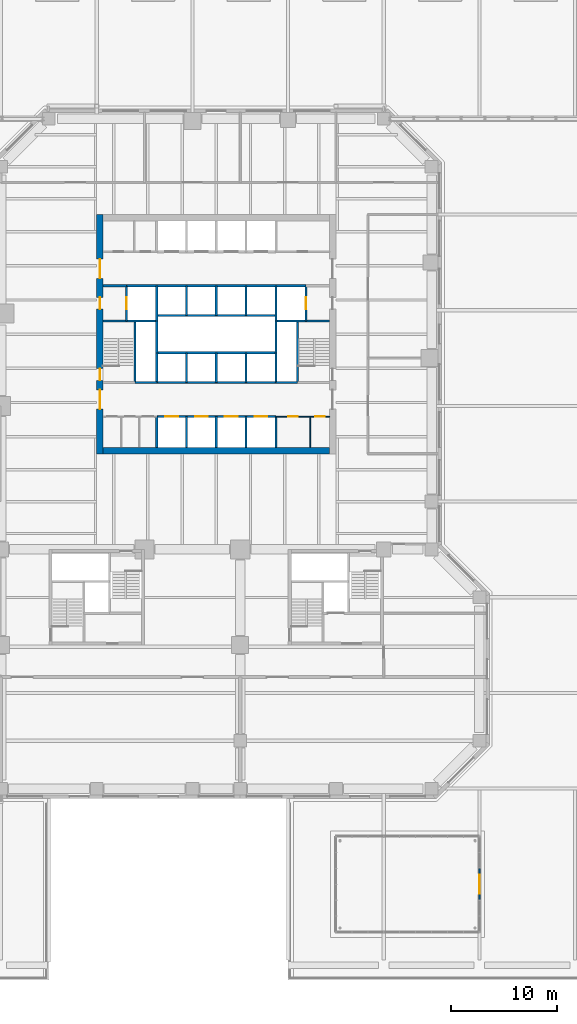
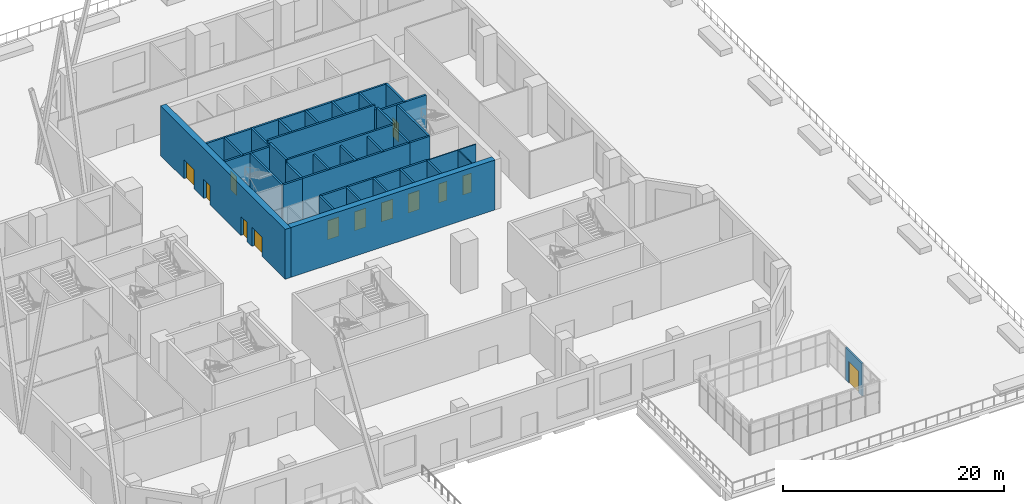
# One storey, part 23 of 33: 36 walls, 13 doors, 13 openings.
"""IFC4 building model written with IfcOpenShell, lengths in metres."""

import ifcopenshell
import ifcopenshell.guid

model = None  # the IFC model being written
_history = None  # IfcOwnerHistory: only IFC2X3 demands one
_inside = {}  # id of a spatial element -> (the spatial element, [elements in it])
_under = {}  # id of a project, library or spatial element -> (it, [spatial elements below it])
_declared = {}  # id of a project -> (the project, [libraries it declares])
_typed = {}  # id of a type object -> (the type object, [elements of that type])
_made_of = {}  # id of a material, layer set ... -> (it, [elements and type objects made of it])


def new_model(schema):
    """Start an empty IFC model of exactly this schema.

    Asked for "IFC4X3", IfcOpenShell would pick the latest addendum, in which some entities
    have other attributes; the version numbers below select the first issue.
    IFC2X3 requires an IfcOwnerHistory on every rooted entity: one is made here for all.
    """
    global model, _history
    if schema == "IFC4X3":
        model = ifcopenshell.file(schema_version=(4, 3, 0, 0))
    else:
        model = ifcopenshell.file(schema=schema)
    _inside.clear()
    _under.clear()
    _declared.clear()
    _typed.clear()
    _made_of.clear()
    _history = None
    if model.schema == "IFC2X3":
        org = make("IfcOrganization", Name="unknown")
        user = make(
            "IfcPersonAndOrganization",
            ThePerson=make("IfcPerson", FamilyName="unknown"),
            TheOrganization=org,
        )
        app = make(
            "IfcApplication",
            ApplicationDeveloper=org,
            Version="unknown",
            ApplicationFullName="unknown",
            ApplicationIdentifier="unknown",
        )
        _history = make(
            "IfcOwnerHistory",
            OwningUser=user,
            OwningApplication=app,
            ChangeAction="ADDED",
            CreationDate=0,
        )
    return model


def make(cls, **values):
    """One entity of the class cls with the attributes given. An attribute that is None is left unset."""
    return model.create_entity(
        cls, **{name: value for name, value in values.items() if value is not None}
    )


def rooted(cls, **values):
    """An entity with a GlobalId (a new one), such as an element, a storey or a relation."""
    return make(cls, GlobalId=ifcopenshell.guid.new(), OwnerHistory=_history, **values)


def si_unit(unit_type, name, prefix=None):
    """IfcSIUnit, for example si_unit("LENGTHUNIT", "METRE", prefix="MILLI")."""
    return make("IfcSIUnit", UnitType=unit_type, Prefix=prefix, Name=name)


def assignment(units):
    """IfcUnitAssignment: the units of a project."""
    return None if units is None else make("IfcUnitAssignment", Units=units)


def point(xyz):
    """IfcCartesianPoint."""
    return None if xyz is None else make("IfcCartesianPoint", Coordinates=xyz)


def direction(xyz):
    """IfcDirection."""
    return None if xyz is None else make("IfcDirection", DirectionRatios=xyz)


def frame(location, z_axis=None, x_axis=None):
    """IfcAxis2Placement3D, a coordinate frame: its origin and axes. An axis left out is left unset."""
    return make(
        "IfcAxis2Placement3D",
        Location=point(location),
        Axis=direction(z_axis),
        RefDirection=direction(x_axis),
    )


def frame_2d(location, x_axis=None):
    """IfcAxis2Placement2D, a coordinate frame in the plane: its origin and x axis."""
    return make(
        "IfcAxis2Placement2D", Location=point(location), RefDirection=direction(x_axis)
    )


def origin():
    """The frame at (0, 0, 0) with its axes left unset."""
    return frame((0.0, 0.0, 0.0))


def place(relative_to, where):
    """IfcLocalPlacement: puts the frame where relative to a parent placement (None: the world)."""
    return make(
        "IfcLocalPlacement", PlacementRelTo=relative_to, RelativePlacement=where
    )


def context(
    kind, dimensions, precision=None, world=None, true_north=None, identifier=None
):
    """IfcGeometricRepresentationContext, for example the 3D "Model" context."""
    return make(
        "IfcGeometricRepresentationContext",
        ContextIdentifier=identifier,
        ContextType=kind,
        CoordinateSpaceDimension=dimensions,
        Precision=precision,
        WorldCoordinateSystem=world,
        TrueNorth=true_north,
    )


def subcontext(parent, identifier, kind, view, scale=None):
    """IfcGeometricRepresentationSubContext, for example "Body" below "Model"."""
    return make(
        "IfcGeometricRepresentationSubContext",
        ContextIdentifier=identifier,
        ContextType=kind,
        ParentContext=parent,
        TargetScale=scale,
        TargetView=view,
    )


def project(units=None, contexts=None):
    """IfcProject with its units and contexts."""
    return rooted(
        "IfcProject",
        Name="project",
        RepresentationContexts=contexts,
        UnitsInContext=assignment(units),
    )


def spatial(cls, under=None, at=None, **own):
    """A site, building, storey or space (cls), placed at a placement, below another one or the project."""
    s = rooted(cls, ObjectPlacement=at, **own)
    if under is not None:
        _under.setdefault(under.id(), (under, []))[1].append(s)
    return s


def profile(cls, at=None, kind="AREA", **sizes):
    """A parametric profile (cls). Its sizes go by their IFC names, for example OverallWidth=200.0."""
    return make(cls, ProfileType=kind, Position=at, **sizes)


def rectangle(**sizes):
    """IfcRectangleProfileDef."""
    return profile("IfcRectangleProfileDef", **sizes)


def extrude(swept, where, along, depth):
    """IfcExtrudedAreaSolid: the profile swept, set in the frame where, extruded along a direction by depth."""
    return make(
        "IfcExtrudedAreaSolid",
        SweptArea=swept,
        Position=where,
        ExtrudedDirection=direction(along),
        Depth=depth,
    )


def shape(context_of_items, identifier, shape_type, items):
    """IfcShapeRepresentation: the items that make up one representation, for example the "Body"."""
    return make(
        "IfcShapeRepresentation",
        ContextOfItems=context_of_items,
        RepresentationIdentifier=identifier,
        RepresentationType=shape_type,
        Items=items,
    )


def material(Name=None, Category=None):
    """IfcMaterial."""
    return make("IfcMaterial", Name=Name, Category=Category)


def layer(
    of_material, thickness, ventilated=None, Name=None, Category=None, Priority=None
):
    """IfcMaterialLayer: one layer of a wall or slab, of a material (None: an air gap)."""
    return make(
        "IfcMaterialLayer",
        Material=of_material,
        LayerThickness=thickness,
        IsVentilated=ventilated,
        Name=Name,
        Category=Category,
        Priority=Priority,
    )


def layer_set(layers, Name=None):
    """IfcMaterialLayerSet."""
    return make("IfcMaterialLayerSet", MaterialLayers=layers, LayerSetName=Name)


def constituent(of_material, Name=None, Category=None, fraction=None):
    """IfcMaterialConstituent: one of the materials an element consists of."""
    return make(
        "IfcMaterialConstituent",
        Name=Name,
        Material=of_material,
        Fraction=fraction,
        Category=Category,
    )


def constituent_set(constituents=None, Name=None):
    """IfcMaterialConstituentSet."""
    return make(
        "IfcMaterialConstituentSet", Name=Name, MaterialConstituents=constituents
    )


def made_of(thing, what):
    """Note that an element or type object is made of a material, layer set ...; save() writes the relation."""
    if what is not None:
        _made_of.setdefault(what.id(), (what, []))[1].append(thing)
    return thing


def type_object(cls, material=None, **own):
    """A type object (cls), such as IfcWallType, which elements share."""
    return made_of(rooted(cls, **own), material)


def element(
    cls,
    number,
    at=None,
    inside=None,
    cuts=None,
    type_object=None,
    material=None,
    context=None,
    identifier="Body",
    shape_type=None,
    held_by="IfcProductDefinitionShape",
    body=None,
    shapes=None,
    **own,
):
    """One element of the class cls, such as IfcWall. Its Tag is "e" and its number.

    at: its placement. inside: the storey or other place that contains it. cuts: it is an
    opening in that element (IfcRelVoidsElement). A single representation is given by context,
    identifier, shape_type and body (its items); several are given by shapes. held_by: the class
    of the entity that holds the representations. save() writes the other relations.
    """
    e = rooted(cls, Tag="e%d" % number, ObjectPlacement=at, **own)
    if body is not None:
        shapes = [shape(context, identifier, shape_type, body)]
    if shapes is not None:
        e.Representation = make(held_by, Representations=shapes)
    if inside is not None:
        _inside.setdefault(inside.id(), (inside, []))[1].append(e)
    if cuts is not None:
        rooted(
            "IfcRelVoidsElement", RelatingBuildingElement=cuts, RelatedOpeningElement=e
        )
    if type_object is not None:
        _typed.setdefault(type_object.id(), (type_object, []))[1].append(e)
    return made_of(e, material)


def fill(opening, filler):
    """IfcRelFillsElement: the door or window that sits in an opening."""
    return rooted(
        "IfcRelFillsElement",
        RelatingOpeningElement=opening,
        RelatedBuildingElement=filler,
    )


def aggregate(whole, parts):
    """IfcRelAggregates: a whole, such as a stair, and the parts it consists of."""
    return rooted("IfcRelAggregates", RelatingObject=whole, RelatedObjects=parts)


def save(model, path):
    """Write the relations noted so far, then the file.

    IfcRelAggregates (storeys below a building ...), IfcRelContainedInSpatialStructure (elements
    in a storey), IfcRelDefinesByType, IfcRelAssociatesMaterial and IfcRelDeclares: one each for
    every whole, place, type object, material and project.
    """
    for whole, parts in _under.values():
        aggregate(whole, parts)
    for where, things in _inside.values():
        rooted(
            "IfcRelContainedInSpatialStructure",
            RelatedElements=things,
            RelatingStructure=where,
        )
    for kind, things in _typed.values():
        rooted("IfcRelDefinesByType", RelatedObjects=things, RelatingType=kind)
    for what, things in _made_of.values():
        rooted("IfcRelAssociatesMaterial", RelatedObjects=things, RelatingMaterial=what)
    for by, libraries in _declared.values():
        rooted("IfcRelDeclares", RelatingContext=by, RelatedDefinitions=libraries)
    model.write(path)


model = new_model("IFC4")

# Units and contexts
model_context = context("Model", 3, precision=1e-05, world=origin(), true_north=direction((0.0, 1.0)))
body_context = subcontext(model_context, "Body", "Model", "MODEL_VIEW")
ifc_project = project(units=[si_unit("LENGTHUNIT", "METRE"), si_unit("AREAUNIT", "SQUARE_METRE"), si_unit("VOLUMEUNIT", "CUBIC_METRE"), si_unit("PLANEANGLEUNIT", "RADIAN"), si_unit("MASSUNIT", "GRAM", prefix="KILO")], contexts=[model_context])

# Site, building, storey
site_placement = place(None, origin())
site = spatial("IfcSite", under=ifc_project, at=site_placement, CompositionType="ELEMENT")
building_placement = place(site_placement, origin())
building = spatial("IfcBuilding", under=site, at=building_placement, Name="Quoin Convention Tower", CompositionType="ELEMENT")
storey_placement = place(building_placement, frame((0.0, 0.0, 8.0)))
storey = spatial("IfcBuildingStorey", under=building, at=storey_placement, Name="L01", CompositionType="ELEMENT", Elevation=8.0)

# Wall, openings, doors
ifc_material_1 = material(Name="Plasterboard")
ifc_layer_1 = layer(ifc_material_1, 0.012451171875, Name="Finish")
ifc_material_2 = material(Name="Steel stud framing", Category="steel")
ifc_layer_2 = layer(ifc_material_2, 0.074951171875, Name="Structure")
ifc_layer_3 = layer(ifc_material_1, 0.012451171875, Name="Finish")
ifc_layer_set_1 = layer_set([ifc_layer_1, ifc_layer_2, ifc_layer_3], Name="Steel stud framing")
wall_type_1 = type_object("IfcWallType", Name="Core partition wall", PredefinedType="PARTITIONING", material=ifc_layer_set_1)
wall_1_placement = place(storey_placement, frame((61.85009765625, 53.0, 0.0), z_axis=(0.0, 0.0, 1.0), x_axis=(1.0, 0.0, 0.0)))
wall_1 = element("IfcWall", 1, at=wall_1_placement, inside=storey, type_object=wall_type_1, Name="cr-C1-L01-h3500_16850", PredefinedType="PARTITIONING", context=body_context, shape_type="SweptSolid", body=[
    extrude(rectangle(XDim=5.0498046875, YDim=0.10009765625, at=frame_2d((2.52490234375, 0.0))), origin(), (0.0, 0.0, 1.0), 5.14990234375),
])
opening_1_placement = place(wall_1_placement, frame((3.69091796875, 0.0, 0.0)))
opening_1 = element("IfcOpeningElement", 2, at=opening_1_placement, cuts=wall_1, Name="Opening DCV1-23", PredefinedType="OPENING", context=body_context, shape_type="SweptSolid", body=[
    extrude(rectangle(XDim=0.89990234375, YDim=2.10009765625, at=frame_2d((0.449951171875, 1.050048828125))), frame((0.0, 0.06005859375, 0.0), z_axis=(0.0, -1.0, 0.0), x_axis=(1.0, 0.0, 0.0)), (0.0, 0.0, 1.0), 0.1201171875),
])
opening_2_placement = place(wall_1_placement, frame((1.166015625, 0.0, 0.0)))
opening_2 = element("IfcOpeningElement", 3, at=opening_2_placement, cuts=wall_1, Name="Opening DCV1-19", PredefinedType="OPENING", context=body_context, shape_type="SweptSolid", body=[
    extrude(rectangle(XDim=0.89990234375, YDim=2.10009765625, at=frame_2d((0.449951171875, 1.050048828125))), frame((0.0, 0.06005859375, 0.0), z_axis=(0.0, -1.0, 0.0), x_axis=(1.0, 0.0, 0.0)), (0.0, 0.0, 1.0), 0.1201171875),
])
ifc_material_3 = material(Name="Steel door leaf", Category="steel")
door_type_1 = type_object("IfcDoorType", Name="Core room door 900 x 2100", OperationType="SINGLE_SWING_LEFT", PredefinedType="DOOR", material=ifc_material_3)
door_1_placement = place(opening_1_placement, frame((0.89990234375, 0.0, 0.0), z_axis=(0.0, 0.0, 1.0), x_axis=(-1.0, 0.0, 0.0)))
door_1 = element("IfcDoor", 4, at=door_1_placement, inside=storey, type_object=door_type_1, Name="cd-C1-L01-CSE0-lobA-CD0110", OperationType="SINGLE_SWING_LEFT", OverallHeight=2.10009765625, OverallWidth=0.89990234375, PredefinedType="DOOR", context=body_context, shape_type="SweptSolid", body=[
    extrude(rectangle(XDim=0.89990234375, YDim=2.10009765625, at=frame_2d((0.449951171875, 1.050048828125))), frame((0.0, 0.02490234375, 0.0), z_axis=(0.0, -1.0, 0.0), x_axis=(1.0, 0.0, 0.0)), (0.0, 0.0, 1.0), 0.050048828125),
])
fill(opening_1, door_1)
door_2_placement = place(opening_2_placement, frame((0.89990234375, 0.0, 0.0), z_axis=(0.0, 0.0, 1.0), x_axis=(-1.0, 0.0, 0.0)))
door_2 = element("IfcDoor", 5, at=door_2_placement, inside=storey, type_object=door_type_1, Name="cd-C1-L01-CSE1-lobA-CD0111", OperationType="SINGLE_SWING_LEFT", OverallHeight=2.10009765625, OverallWidth=0.89990234375, PredefinedType="DOOR", context=body_context, shape_type="SweptSolid", body=[
    extrude(rectangle(XDim=0.89990234375, YDim=2.10009765625, at=frame_2d((0.449951171875, 1.050048828125))), frame((0.0, 0.02490234375, 0.0), z_axis=(0.0, -1.0, 0.0), x_axis=(1.0, 0.0, 0.0)), (0.0, 0.0, 1.0), 0.050048828125),
])
fill(opening_2, door_2)

# Wall
wall_2_placement = place(storey_placement, frame((65.08203125, 50.10009765625, 0.0), z_axis=(0.0, 0.0, 1.0), x_axis=(0.0, 1.0, 0.0)))
element("IfcWall", 6, at=wall_2_placement, inside=storey, type_object=wall_type_1, Name="cr-C1-L01-v20082_600", PredefinedType="PARTITIONING", context=body_context, shape_type="SweptSolid", body=[
    extrude(rectangle(XDim=2.89990234375, YDim=0.10009765625, at=frame_2d((1.449951171875, 0.0))), origin(), (0.0, 0.0, 1.0), 5.14990234375),
])

# Wall, openings, doors
ifc_material_4 = material(Name="Concrete C50", Category="concrete")
ifc_layer_4 = layer(ifc_material_4, 0.199951171875)
ifc_layer_set_2 = layer_set([ifc_layer_4], Name="Concrete C50")
wall_type_2 = type_object("IfcWallType", Name="Core shaft wall", PredefinedType="SOLIDWALL", material=ifc_layer_set_2)
wall_3_placement = place(storey_placement, frame((50.64990234375, 53.0, 0.0), z_axis=(0.0, 0.0, 1.0), x_axis=(1.0, 0.0, 0.0)))
wall_3 = element("IfcWall", 7, at=wall_3_placement, inside=storey, type_object=wall_type_2, Name="cr-C1-L01-h3500_5650", PredefinedType="SOLIDWALL", context=body_context, shape_type="SweptSolid", body=[
    extrude(rectangle(XDim=11.2001953125, YDim=0.199951171875, at=frame_2d((5.60009765625, 0.0))), origin(), (0.0, 0.0, 1.0), 5.14990234375),
])
opening_3_placement = place(wall_3_placement, frame((0.800048828125, 0.0, 0.0)))
opening_3 = element("IfcOpeningElement", 8, at=opening_3_placement, cuts=wall_3, Name="Opening LDL1", PredefinedType="OPENING", context=body_context, shape_type="SweptSolid", body=[
    extrude(rectangle(XDim=1.199951171875, YDim=2.10009765625, at=frame_2d((0.60009765625, 1.050048828125))), frame((0.0, 0.10986328125, 0.0), z_axis=(0.0, -1.0, 0.0), x_axis=(1.0, 0.0, 0.0)), (0.0, 0.0, 1.0), 0.219970703125),
])
opening_4_placement = place(wall_3_placement, frame((3.60009765625, 0.0, 0.0)))
opening_4 = element("IfcOpeningElement", 9, at=opening_4_placement, cuts=wall_3, Name="Opening LDL2", PredefinedType="OPENING", context=body_context, shape_type="SweptSolid", body=[
    extrude(rectangle(XDim=1.199951171875, YDim=2.10009765625, at=frame_2d((0.60009765625, 1.050048828125))), frame((0.0, 0.10986328125, 0.0), z_axis=(0.0, -1.0, 0.0), x_axis=(1.0, 0.0, 0.0)), (0.0, 0.0, 1.0), 0.219970703125),
])
opening_5_placement = place(wall_3_placement, frame((6.39990234375, 0.0, 0.0)))
opening_5 = element("IfcOpeningElement", 10, at=opening_5_placement, cuts=wall_3, Name="Opening LDL3", PredefinedType="OPENING", context=body_context, shape_type="SweptSolid", body=[
    extrude(rectangle(XDim=1.199951171875, YDim=2.10009765625, at=frame_2d((0.60009765625, 1.050048828125))), frame((0.0, 0.10986328125, 0.0), z_axis=(0.0, -1.0, 0.0), x_axis=(1.0, 0.0, 0.0)), (0.0, 0.0, 1.0), 0.219970703125),
])
opening_6_placement = place(wall_3_placement, frame((9.199951171875, 0.0, 0.0)))
opening_6 = element("IfcOpeningElement", 11, at=opening_6_placement, cuts=wall_3, Name="Opening LDL4", PredefinedType="OPENING", context=body_context, shape_type="SweptSolid", body=[
    extrude(rectangle(XDim=1.199951171875, YDim=2.10009765625, at=frame_2d((0.60009765625, 1.050048828125))), frame((0.0, 0.10986328125, 0.0), z_axis=(0.0, -1.0, 0.0), x_axis=(1.0, 0.0, 0.0)), (0.0, 0.0, 1.0), 0.219970703125),
])
door_type_2 = type_object("IfcDoorType", Name="Lift landing door 1200 x 2100", OperationType="DOUBLE_DOOR_SLIDING", PredefinedType="DOOR", material=ifc_material_3)
door_3_placement = place(opening_3_placement, origin())
door_3 = element("IfcDoor", 12, at=door_3_placement, inside=storey, type_object=door_type_2, Name="cd-C1-L01-R10-lobA-LDL1", OperationType="DOUBLE_DOOR_SLIDING", OverallHeight=2.10009765625, OverallWidth=1.199951171875, PredefinedType="DOOR", context=body_context, shape_type="SweptSolid", body=[
    extrude(rectangle(XDim=1.199951171875, YDim=2.10009765625, at=frame_2d((0.60009765625, 1.050048828125))), frame((0.0, 0.02490234375, 0.0), z_axis=(0.0, -1.0, 0.0), x_axis=(1.0, 0.0, 0.0)), (0.0, 0.0, 1.0), 0.050048828125),
])
fill(opening_3, door_3)
door_4_placement = place(opening_4_placement, origin())
door_4 = element("IfcDoor", 13, at=door_4_placement, inside=storey, type_object=door_type_2, Name="cd-C1-L01-R11-lobA-LDL2", OperationType="DOUBLE_DOOR_SLIDING", OverallHeight=2.10009765625, OverallWidth=1.199951171875, PredefinedType="DOOR", context=body_context, shape_type="SweptSolid", body=[
    extrude(rectangle(XDim=1.199951171875, YDim=2.10009765625, at=frame_2d((0.60009765625, 1.050048828125))), frame((0.0, 0.02490234375, 0.0), z_axis=(0.0, -1.0, 0.0), x_axis=(1.0, 0.0, 0.0)), (0.0, 0.0, 1.0), 0.050048828125),
])
fill(opening_4, door_4)
door_5_placement = place(opening_5_placement, origin())
door_5 = element("IfcDoor", 14, at=door_5_placement, inside=storey, type_object=door_type_2, Name="cd-C1-L01-R12-lobA-LDL3", OperationType="DOUBLE_DOOR_SLIDING", OverallHeight=2.10009765625, OverallWidth=1.199951171875, PredefinedType="DOOR", context=body_context, shape_type="SweptSolid", body=[
    extrude(rectangle(XDim=1.199951171875, YDim=2.10009765625, at=frame_2d((0.60009765625, 1.050048828125))), frame((0.0, 0.02490234375, 0.0), z_axis=(0.0, -1.0, 0.0), x_axis=(1.0, 0.0, 0.0)), (0.0, 0.0, 1.0), 0.050048828125),
])
fill(opening_5, door_5)
door_6_placement = place(opening_6_placement, origin())
door_6 = element("IfcDoor", 15, at=door_6_placement, inside=storey, type_object=door_type_2, Name="cd-C1-L01-R13-lobA-LDL4", OperationType="DOUBLE_DOOR_SLIDING", OverallHeight=2.10009765625, OverallWidth=1.199951171875, PredefinedType="DOOR", context=body_context, shape_type="SweptSolid", body=[
    extrude(rectangle(XDim=1.199951171875, YDim=2.10009765625, at=frame_2d((0.60009765625, 1.050048828125))), frame((0.0, 0.02490234375, 0.0), z_axis=(0.0, -1.0, 0.0), x_axis=(1.0, 0.0, 0.0)), (0.0, 0.0, 1.0), 0.050048828125),
])
fill(opening_6, door_6)

# Walls
for number, where, z_axis, x_axis, name in (
    (16, (48.60009765625, 56.199951171875, 0.0), (0.0, 0.0, 1.0), (1.0, 0.0, 0.0), "cr-C1-L01-h6700_3600"),
    (17, (61.85009765625, 56.199951171875, 0.0), (0.0, 0.0, 1.0), (1.0, 0.0, 0.0), "cr-C1-L01-h6700_16850"),
):
    element("IfcWall", number, at=place(storey_placement, frame(where, z_axis=z_axis, x_axis=x_axis)), inside=storey, type_object=wall_type_2, Name=name, PredefinedType="SOLIDWALL", context=body_context, shape_type="SweptSolid", body=[
        extrude(rectangle(XDim=2.0498046875, YDim=0.199951171875, at=frame_2d((1.02490234375, 0.0))), origin(), (0.0, 0.0, 1.0), 5.14990234375),
    ])
wall_4_placement = place(storey_placement, frame((50.64990234375, 56.199951171875, 0.0), z_axis=(0.0, 0.0, 1.0), x_axis=(1.0, 0.0, 0.0)))
element("IfcWall", 18, at=wall_4_placement, inside=storey, type_object=wall_type_2, Name="cr-C1-L01-h6700_5650", PredefinedType="SOLIDWALL", context=body_context, shape_type="SweptSolid", body=[
    extrude(rectangle(XDim=11.2001953125, YDim=0.199951171875, at=frame_2d((5.60009765625, 0.0))), origin(), (0.0, 0.0, 1.0), 5.14990234375),
])
for number, where, z_axis, x_axis, name in (
    (19, (45.60009765625, 62.0, 0.0), (0.0, 0.0, 1.0), (1.0, 0.0, 0.0), "cr-C1-L01-h12500_600"),
    (20, (61.85009765625, 62.0, 0.0), (0.0, 0.0, 1.0), (1.0, 0.0, 0.0), "cr-C1-L01-h12500_16850"),
):
    element("IfcWall", number, at=place(storey_placement, frame(where, z_axis=z_axis, x_axis=x_axis)), inside=storey, type_object=wall_type_2, Name=name, PredefinedType="SOLIDWALL", context=body_context, shape_type="SweptSolid", body=[
        extrude(rectangle(XDim=5.0498046875, YDim=0.199951171875, at=frame_2d((2.52490234375, 0.0))), origin(), (0.0, 0.0, 1.0), 5.14990234375),
    ])
wall_5_placement = place(storey_placement, frame((45.60009765625, 65.300048828125, 0.0), z_axis=(0.0, 0.0, 1.0), x_axis=(1.0, 0.0, 0.0)))
element("IfcWall", 21, at=wall_5_placement, inside=storey, type_object=wall_type_2, Name="cr-C1-L01-h15800_600", PredefinedType="SOLIDWALL", context=body_context, shape_type="SweptSolid", body=[
    extrude(rectangle(XDim=2.199951171875, YDim=0.199951171875, at=frame_2d((1.10009765625, 0.0))), origin(), (0.0, 0.0, 1.0), 5.14990234375),
])
wall_6_placement = place(storey_placement, frame((47.800048828125, 65.300048828125, 0.0), z_axis=(0.0, 0.0, 1.0), x_axis=(1.0, 0.0, 0.0)))
element("IfcWall", 22, at=wall_6_placement, inside=storey, type_object=wall_type_2, Name="cr-C1-L01-h15800_2800", PredefinedType="SOLIDWALL", context=body_context, shape_type="SweptSolid", body=[
    extrude(rectangle(XDim=16.89990234375, YDim=0.199951171875, at=frame_2d((8.449951171875, 0.0))), origin(), (0.0, 0.0, 1.0), 5.14990234375),
])

# Wall, opening, door
wall_7_placement = place(storey_placement, frame((47.800048828125, 62.0, 0.0), z_axis=(0.0, 0.0, 1.0), x_axis=(0.0, 1.0, 0.0)))
wall_7 = element("IfcWall", 23, at=wall_7_placement, inside=storey, type_object=wall_type_2, Name="cr-C1-L01-v2800_12500", PredefinedType="SOLIDWALL", context=body_context, shape_type="SweptSolid", body=[
    extrude(rectangle(XDim=3.300048828125, YDim=0.199951171875, at=frame_2d((1.64990234375, 0.0))), origin(), (0.0, 0.0, 1.0), 5.14990234375),
])
opening_7_placement = place(wall_7_placement, frame((1.10009765625, 0.0, 0.0)))
opening_7 = element("IfcOpeningElement", 24, at=opening_7_placement, cuts=wall_7, Name="Opening LDFL1", PredefinedType="OPENING", context=body_context, shape_type="SweptSolid", body=[
    extrude(rectangle(XDim=1.10009765625, YDim=2.10009765625, at=frame_2d((0.550048828125, 1.050048828125))), frame((0.0, 0.10986328125, 0.0), z_axis=(0.0, -1.0, 0.0), x_axis=(1.0, 0.0, 0.0)), (0.0, 0.0, 1.0), 0.219970703125),
])
door_type_3 = type_object("IfcDoorType", Name="Lift landing door 1100 x 2100", OperationType="DOUBLE_DOOR_SLIDING", PredefinedType="DOOR", material=ifc_material_3)
door_7_placement = place(opening_7_placement, origin())
door_7 = element("IfcDoor", 25, at=door_7_placement, inside=storey, type_object=door_type_3, Name="cd-C1-L01-FLW-FFW-LDFL1", OperationType="DOUBLE_DOOR_SLIDING", OverallHeight=2.10009765625, OverallWidth=1.10009765625, PredefinedType="DOOR", context=body_context, shape_type="SweptSolid", body=[
    extrude(rectangle(XDim=1.10009765625, YDim=2.10009765625, at=frame_2d((0.550048828125, 1.050048828125))), frame((0.0, 0.02490234375, 0.0), z_axis=(0.0, -1.0, 0.0), x_axis=(1.0, 0.0, 0.0)), (0.0, 0.0, 1.0), 0.050048828125),
])
fill(opening_7, door_7)

# Walls
wall_8_placement = place(storey_placement, frame((48.60009765625, 56.199951171875, 0.0), z_axis=(0.0, 0.0, 1.0), x_axis=(0.0, 1.0, 0.0)))
element("IfcWall", 26, at=wall_8_placement, inside=storey, type_object=wall_type_2, Name="cr-C1-L01-v3600_6700", PredefinedType="SOLIDWALL", context=body_context, shape_type="SweptSolid", body=[
    extrude(rectangle(XDim=5.800048828125, YDim=0.199951171875, at=frame_2d((2.89990234375, 0.0))), origin(), (0.0, 0.0, 1.0), 5.14990234375),
])
wall_9_placement = place(storey_placement, frame((50.64990234375, 50.10009765625, 0.0), z_axis=(0.0, 0.0, 1.0), x_axis=(0.0, 1.0, 0.0)))
element("IfcWall", 27, at=wall_9_placement, inside=storey, type_object=wall_type_2, Name="cr-C1-L01-v5650_600", PredefinedType="SOLIDWALL", context=body_context, shape_type="SweptSolid", body=[
    extrude(rectangle(XDim=2.89990234375, YDim=0.199951171875, at=frame_2d((1.449951171875, 0.0))), origin(), (0.0, 0.0, 1.0), 5.14990234375),
])
wall_10_placement = place(storey_placement, frame((50.64990234375, 56.199951171875, 0.0), z_axis=(0.0, 0.0, 1.0), x_axis=(0.0, 1.0, 0.0)))
element("IfcWall", 28, at=wall_10_placement, inside=storey, type_object=wall_type_2, Name="cr-C1-L01-v5650_6700", PredefinedType="SOLIDWALL", context=body_context, shape_type="SweptSolid", body=[
    extrude(rectangle(XDim=2.800048828125, YDim=0.199951171875, at=frame_2d((1.39990234375, 0.0))), origin(), (0.0, 0.0, 1.0), 5.14990234375),
])
wall_11_placement = place(storey_placement, frame((50.64990234375, 62.0, 0.0), z_axis=(0.0, 0.0, 1.0), x_axis=(0.0, 1.0, 0.0)))
element("IfcWall", 29, at=wall_11_placement, inside=storey, type_object=wall_type_2, Name="cr-C1-L01-v5650_12500", PredefinedType="SOLIDWALL", context=body_context, shape_type="SweptSolid", body=[
    extrude(rectangle(XDim=3.300048828125, YDim=0.199951171875, at=frame_2d((1.64990234375, 0.0))), origin(), (0.0, 0.0, 1.0), 5.14990234375),
])
wall_12_placement = place(storey_placement, frame((53.449951171875, 50.10009765625, 0.0), z_axis=(0.0, 0.0, 1.0), x_axis=(0.0, 1.0, 0.0)))
element("IfcWall", 30, at=wall_12_placement, inside=storey, type_object=wall_type_2, Name="cr-C1-L01-v8450_600", PredefinedType="SOLIDWALL", context=body_context, shape_type="SweptSolid", body=[
    extrude(rectangle(XDim=2.89990234375, YDim=0.199951171875, at=frame_2d((1.449951171875, 0.0))), origin(), (0.0, 0.0, 1.0), 5.14990234375),
])
for number, where, z_axis, x_axis, name in (
    (31, (53.449951171875, 56.199951171875, 0.0), (0.0, 0.0, 1.0), (0.0, 1.0, 0.0), "cr-C1-L01-v8450_6700"),
    (32, (53.449951171875, 62.5, 0.0), (0.0, 0.0, 1.0), (0.0, 1.0, 0.0), "cr-C1-L01-v8450_13000"),
):
    element("IfcWall", number, at=place(storey_placement, frame(where, z_axis=z_axis, x_axis=x_axis)), inside=storey, type_object=wall_type_2, Name=name, PredefinedType="SOLIDWALL", context=body_context, shape_type="SweptSolid", body=[
        extrude(rectangle(XDim=2.800048828125, YDim=0.199951171875, at=frame_2d((1.39990234375, 0.0))), origin(), (0.0, 0.0, 1.0), 5.14990234375),
    ])
wall_13_placement = place(storey_placement, frame((56.25, 50.10009765625, 0.0), z_axis=(0.0, 0.0, 1.0), x_axis=(0.0, 1.0, 0.0)))
element("IfcWall", 33, at=wall_13_placement, inside=storey, type_object=wall_type_2, Name="cr-C1-L01-v11250_600", PredefinedType="SOLIDWALL", context=body_context, shape_type="SweptSolid", body=[
    extrude(rectangle(XDim=2.89990234375, YDim=0.199951171875, at=frame_2d((1.449951171875, 0.0))), origin(), (0.0, 0.0, 1.0), 5.14990234375),
])
for number, where, z_axis, x_axis, name in (
    (34, (56.25, 56.199951171875, 0.0), (0.0, 0.0, 1.0), (0.0, 1.0, 0.0), "cr-C1-L01-v11250_6700"),
    (35, (56.25, 62.5, 0.0), (0.0, 0.0, 1.0), (0.0, 1.0, 0.0), "cr-C1-L01-v11250_13000"),
):
    element("IfcWall", number, at=place(storey_placement, frame(where, z_axis=z_axis, x_axis=x_axis)), inside=storey, type_object=wall_type_2, Name=name, PredefinedType="SOLIDWALL", context=body_context, shape_type="SweptSolid", body=[
        extrude(rectangle(XDim=2.800048828125, YDim=0.199951171875, at=frame_2d((1.39990234375, 0.0))), origin(), (0.0, 0.0, 1.0), 5.14990234375),
    ])
wall_14_placement = place(storey_placement, frame((59.050048828125, 50.10009765625, 0.0), z_axis=(0.0, 0.0, 1.0), x_axis=(0.0, 1.0, 0.0)))
element("IfcWall", 36, at=wall_14_placement, inside=storey, type_object=wall_type_2, Name="cr-C1-L01-v14050_600", PredefinedType="SOLIDWALL", context=body_context, shape_type="SweptSolid", body=[
    extrude(rectangle(XDim=2.89990234375, YDim=0.199951171875, at=frame_2d((1.449951171875, 0.0))), origin(), (0.0, 0.0, 1.0), 5.14990234375),
])
for number, where, z_axis, x_axis, name in (
    (37, (59.050048828125, 56.199951171875, 0.0), (0.0, 0.0, 1.0), (0.0, 1.0, 0.0), "cr-C1-L01-v14050_6700"),
    (38, (59.050048828125, 62.5, 0.0), (0.0, 0.0, 1.0), (0.0, 1.0, 0.0), "cr-C1-L01-v14050_13000"),
):
    element("IfcWall", number, at=place(storey_placement, frame(where, z_axis=z_axis, x_axis=x_axis)), inside=storey, type_object=wall_type_2, Name=name, PredefinedType="SOLIDWALL", context=body_context, shape_type="SweptSolid", body=[
        extrude(rectangle(XDim=2.800048828125, YDim=0.199951171875, at=frame_2d((1.39990234375, 0.0))), origin(), (0.0, 0.0, 1.0), 5.14990234375),
    ])
wall_15_placement = place(storey_placement, frame((61.85009765625, 50.10009765625, 0.0), z_axis=(0.0, 0.0, 1.0), x_axis=(0.0, 1.0, 0.0)))
element("IfcWall", 39, at=wall_15_placement, inside=storey, type_object=wall_type_2, Name="cr-C1-L01-v16850_600", PredefinedType="SOLIDWALL", context=body_context, shape_type="SweptSolid", body=[
    extrude(rectangle(XDim=2.89990234375, YDim=0.199951171875, at=frame_2d((1.449951171875, 0.0))), origin(), (0.0, 0.0, 1.0), 5.14990234375),
])
wall_16_placement = place(storey_placement, frame((61.85009765625, 56.199951171875, 0.0), z_axis=(0.0, 0.0, 1.0), x_axis=(0.0, 1.0, 0.0)))
element("IfcWall", 40, at=wall_16_placement, inside=storey, type_object=wall_type_2, Name="cr-C1-L01-v16850_6700", PredefinedType="SOLIDWALL", context=body_context, shape_type="SweptSolid", body=[
    extrude(rectangle(XDim=2.800048828125, YDim=0.199951171875, at=frame_2d((1.39990234375, 0.0))), origin(), (0.0, 0.0, 1.0), 5.14990234375),
])
wall_17_placement = place(storey_placement, frame((61.85009765625, 62.0, 0.0), z_axis=(0.0, 0.0, 1.0), x_axis=(0.0, 1.0, 0.0)))
element("IfcWall", 41, at=wall_17_placement, inside=storey, type_object=wall_type_2, Name="cr-C1-L01-v16850_12500", PredefinedType="SOLIDWALL", context=body_context, shape_type="SweptSolid", body=[
    extrude(rectangle(XDim=3.300048828125, YDim=0.199951171875, at=frame_2d((1.64990234375, 0.0))), origin(), (0.0, 0.0, 1.0), 5.14990234375),
])
wall_18_placement = place(storey_placement, frame((63.89990234375, 56.199951171875, 0.0), z_axis=(0.0, 0.0, 1.0), x_axis=(0.0, 1.0, 0.0)))
element("IfcWall", 42, at=wall_18_placement, inside=storey, type_object=wall_type_2, Name="cr-C1-L01-v18900_6700", PredefinedType="SOLIDWALL", context=body_context, shape_type="SweptSolid", body=[
    extrude(rectangle(XDim=5.800048828125, YDim=0.199951171875, at=frame_2d((2.89990234375, 0.0))), origin(), (0.0, 0.0, 1.0), 5.14990234375),
])

# Wall, opening, door
wall_19_placement = place(storey_placement, frame((64.699951171875, 62.0, 0.0), z_axis=(0.0, 0.0, 1.0), x_axis=(0.0, 1.0, 0.0)))
wall_19 = element("IfcWall", 43, at=wall_19_placement, inside=storey, type_object=wall_type_2, Name="cr-C1-L01-v19700_12500", PredefinedType="SOLIDWALL", context=body_context, shape_type="SweptSolid", body=[
    extrude(rectangle(XDim=3.300048828125, YDim=0.199951171875, at=frame_2d((1.64990234375, 0.0))), origin(), (0.0, 0.0, 1.0), 5.14990234375),
])
opening_8_placement = place(wall_19_placement, frame((1.10009765625, 0.0, 0.0)))
opening_8 = element("IfcOpeningElement", 44, at=opening_8_placement, cuts=wall_19, Name="Opening LDFL2", PredefinedType="OPENING", context=body_context, shape_type="SweptSolid", body=[
    extrude(rectangle(XDim=1.10009765625, YDim=2.10009765625, at=frame_2d((0.550048828125, 1.050048828125))), frame((0.0, 0.10986328125, 0.0), z_axis=(0.0, -1.0, 0.0), x_axis=(1.0, 0.0, 0.0)), (0.0, 0.0, 1.0), 0.219970703125),
])
door_8_placement = place(opening_8_placement, origin())
door_8 = element("IfcDoor", 45, at=door_8_placement, inside=storey, type_object=door_type_3, Name="cd-C1-L01-FLE-FFE-LDFL2", OperationType="DOUBLE_DOOR_SLIDING", OverallHeight=2.10009765625, OverallWidth=1.10009765625, PredefinedType="DOOR", context=body_context, shape_type="SweptSolid", body=[
    extrude(rectangle(XDim=1.10009765625, YDim=2.10009765625, at=frame_2d((0.550048828125, 1.050048828125))), frame((0.0, 0.02490234375, 0.0), z_axis=(0.0, -1.0, 0.0), x_axis=(1.0, 0.0, 0.0)), (0.0, 0.0, 1.0), 0.050048828125),
])
fill(opening_8, door_8)

# Walls
ifc_layer_5 = layer(ifc_material_4, 0.199951171875)
ifc_layer_set_3 = layer_set([ifc_layer_5], Name="Concrete C50")
wall_type_3 = type_object("IfcWallType", Name="Core shaft wall to the floor level over", PredefinedType="SOLIDWALL", material=ifc_layer_set_3)
for number, where, z_axis, x_axis, name in (
    (46, (50.64990234375, 59.0, 0.0), (0.0, 0.0, 1.0), (1.0, 0.0, 0.0), "cr-C1-L01-h9500_5650"),
    (47, (50.64990234375, 62.5, 0.0), (0.0, 0.0, 1.0), (1.0, 0.0, 0.0), "cr-C1-L01-h13000_5650"),
):
    element("IfcWall", number, at=place(storey_placement, frame(where, z_axis=z_axis, x_axis=x_axis)), inside=storey, type_object=wall_type_3, Name=name, PredefinedType="SOLIDWALL", context=body_context, shape_type="SweptSolid", body=[
        extrude(rectangle(XDim=11.2001953125, YDim=0.199951171875, at=frame_2d((5.60009765625, 0.0))), origin(), (0.0, 0.0, 1.0), 5.5),
    ])
for number, where, z_axis, x_axis, name in (
    (48, (50.64990234375, 59.0, 0.0), (0.0, 0.0, 1.0), (0.0, 1.0, 0.0), "cr-C1-L01-v5650_9500"),
    (49, (61.85009765625, 59.0, 0.0), (0.0, 0.0, 1.0), (0.0, 1.0, 0.0), "cr-C1-L01-v16850_9500"),
):
    element("IfcWall", number, at=place(storey_placement, frame(where, z_axis=z_axis, x_axis=x_axis)), inside=storey, type_object=wall_type_3, Name=name, PredefinedType="SOLIDWALL", context=body_context, shape_type="SweptSolid", body=[
        extrude(rectangle(XDim=3.0, YDim=0.199951171875, at=frame_2d((1.5, 0.0))), origin(), (0.0, 0.0, 1.0), 5.5),
    ])

# Wall, opening, door
ifc_material_5 = material(Name="Steel Grade 350", Category="steel")
ifc_layer_6 = layer(ifc_material_5, 0.1298828125, Name="Structure")
ifc_material_6 = material(Name="Insulated glass", Category="glass")
ifc_layer_7 = layer(ifc_material_6, 0.02001953125, Name="Glazing")
ifc_layer_set_4 = layer_set([ifc_layer_6, ifc_layer_7], Name="Steel Grade 350")
wall_type_4 = type_object("IfcWallType", Name="Pavilion frame wall", PredefinedType="STANDARD", material=ifc_layer_set_4)
wall_20_placement = place(storey_placement, frame((81.0, 7.5, 0.0), z_axis=(0.0, 0.0, 1.0), x_axis=(0.0, 1.0, 0.0)))
wall_20 = element("IfcWall", 50, at=wall_20_placement, inside=storey, type_object=wall_type_4, Name="fw-PAV-E0-81000_7500", PredefinedType="STANDARD", context=body_context, shape_type="SweptSolid", body=[
    extrude(rectangle(XDim=3.0, YDim=0.14990234375, at=frame_2d((1.5, 0.0))), origin(), (0.0, 0.0, 1.0), 3.60009765625),
])
opening_9_placement = place(wall_20_placement, frame((0.60009765625, 0.0, 0.0)))
opening_9 = element("IfcOpeningElement", 51, at=opening_9_placement, cuts=wall_20, Name="Opening D-T7", PredefinedType="OPENING", context=body_context, shape_type="SweptSolid", body=[
    extrude(rectangle(XDim=1.800048828125, YDim=2.39990234375, at=frame_2d((0.89990234375, 1.199951171875))), frame((0.0, 0.0849609375, 0.0), z_axis=(0.0, -1.0, 0.0), x_axis=(1.0, 0.0, 0.0)), (0.0, 0.0, 1.0), 0.169921875),
])
ifc_material_7 = material(Name="Aluminium", Category="aluminium")
ifc_constituent_1 = constituent(ifc_material_7, Name="Frame")
ifc_constituent_2 = constituent(ifc_material_6, Name="Glazing")
ifc_constituent_set = constituent_set(constituents=[ifc_constituent_1, ifc_constituent_2], Name="Aluminium")
door_type_4 = type_object("IfcDoorType", Name="Pavilion door", OperationType="DOUBLE_DOOR_SINGLE_SWING", PredefinedType="DOOR", material=ifc_constituent_set)
door_9_placement = place(opening_9_placement, frame((1.800048828125, 0.0, 0.0), z_axis=(0.0, 0.0, 1.0), x_axis=(-1.0, 0.0, 0.0)))
door_9 = element("IfcDoor", 52, at=door_9_placement, inside=storey, type_object=door_type_4, Name="dr-PAV-E0", OperationType="DOUBLE_DOOR_SINGLE_SWING", OverallHeight=2.39990234375, OverallWidth=1.800048828125, PredefinedType="DOOR", context=body_context, shape_type="SweptSolid", body=[
    extrude(rectangle(XDim=1.800048828125, YDim=2.39990234375, at=frame_2d((0.89990234375, 1.199951171875))), frame((0.0, 0.0498046875, 0.0), z_axis=(0.0, -1.0, 0.0), x_axis=(1.0, 0.0, 0.0)), (0.0, 0.0, 1.0), 0.050048828125),
])
fill(opening_9, door_9)

# Wall
ifc_material_8 = material(Name="Concrete C100 (100 MPa)", Category="concrete")
ifc_layer_8 = layer(ifc_material_8, 0.60009765625)
ifc_layer_set_5 = layer_set([ifc_layer_8], Name="Concrete C100 (100 MPa)")
wall_type_5 = type_object("IfcWallType", Name="RC CORE WALL 600 C100", PredefinedType="SHEAR", material=ifc_layer_set_5)
wall_21_placement = place(storey_placement, frame((45.60009765625, 49.800048828125, 0.0), z_axis=(0.0, 0.0, 1.0), x_axis=(1.0, 0.0, 0.0)))
element("IfcWall", 53, at=wall_21_placement, inside=storey, type_object=wall_type_5, Name="cwl-C1-L01-S", PredefinedType="SHEAR", context=body_context, shape_type="SweptSolid", body=[
    extrude(rectangle(XDim=21.2998046875, YDim=0.60009765625, at=frame_2d((10.64990234375, 0.0))), origin(), (0.0, 0.0, 1.0), 5.5),
])

# Wall, openings, doors
wall_22_placement = place(storey_placement, frame((45.300048828125, 49.5, 0.0), z_axis=(0.0, 0.0, 1.0), x_axis=(0.0, 1.0, 0.0)))
wall_22 = element("IfcWall", 54, at=wall_22_placement, inside=storey, type_object=wall_type_5, Name="cwl-C1-L01-W", PredefinedType="SHEAR", context=body_context, shape_type="SweptSolid", body=[
    extrude(rectangle(XDim=22.5, YDim=0.60009765625, at=frame_2d((11.25, 0.0))), origin(), (0.0, 0.0, 1.0), 5.5),
])
opening_10_placement = place(wall_22_placement, frame((4.199951171875, 0.0, 0.0)))
opening_10 = element("IfcOpeningElement", 55, at=opening_10_placement, cuts=wall_22, Name="Opening DCV1-49", PredefinedType="OPENING", context=body_context, shape_type="SweptSolid", body=[
    extrude(rectangle(XDim=1.800048828125, YDim=2.10009765625, at=frame_2d((0.89990234375, 1.050048828125))), frame((0.0, 0.31005859375, 0.0), z_axis=(0.0, -1.0, 0.0), x_axis=(1.0, 0.0, 0.0)), (0.0, 0.0, 1.0), 0.6201171875),
])
opening_11_placement = place(wall_22_placement, frame((6.89990234375, 0.0, 0.0)))
opening_11 = element("IfcOpeningElement", 56, at=opening_11_placement, cuts=wall_22, Name="Opening SD1", PredefinedType="OPENING", context=body_context, shape_type="SweptSolid", body=[
    extrude(rectangle(XDim=1.10009765625, YDim=2.10009765625, at=frame_2d((0.550048828125, 1.050048828125))), frame((0.0, 0.31005859375, 0.0), z_axis=(0.0, -1.0, 0.0), x_axis=(1.0, 0.0, 0.0)), (0.0, 0.0, 1.0), 0.6201171875),
])
opening_12_placement = place(wall_22_placement, frame((13.60009765625, 0.0, 0.0)))
opening_12 = element("IfcOpeningElement", 57, at=opening_12_placement, cuts=wall_22, Name="Opening DCV1-48", PredefinedType="OPENING", context=body_context, shape_type="SweptSolid", body=[
    extrude(rectangle(XDim=1.10009765625, YDim=2.10009765625, at=frame_2d((0.550048828125, 1.050048828125))), frame((0.0, 0.31005859375, 0.0), z_axis=(0.0, -1.0, 0.0), x_axis=(1.0, 0.0, 0.0)), (0.0, 0.0, 1.0), 0.6201171875),
])
opening_13_placement = place(wall_22_placement, frame((16.5, 0.0, 0.0)))
opening_13 = element("IfcOpeningElement", 58, at=opening_13_placement, cuts=wall_22, Name="Opening DCV1-49", PredefinedType="OPENING", context=body_context, shape_type="SweptSolid", body=[
    extrude(rectangle(XDim=1.800048828125, YDim=2.10009765625, at=frame_2d((0.89990234375, 1.050048828125))), frame((0.0, 0.31005859375, 0.0), z_axis=(0.0, -1.0, 0.0), x_axis=(1.0, 0.0, 0.0)), (0.0, 0.0, 1.0), 0.6201171875),
])
door_type_5 = type_object("IfcDoorType", Name="Fire-fighting lobby door 1100 x 2100", OperationType="SINGLE_SWING_LEFT", PredefinedType="DOOR", material=ifc_material_3)
door_10_placement = place(opening_12_placement, frame((1.10009765625, 0.0, 0.0), z_axis=(0.0, 0.0, 1.0), x_axis=(-1.0, 0.0, 0.0)))
door_10 = element("IfcDoor", 59, at=door_10_placement, inside=storey, type_object=door_type_5, Name="cd-C1-L01-FFW-W", OperationType="SINGLE_SWING_LEFT", OverallHeight=2.10009765625, OverallWidth=1.10009765625, PredefinedType="DOOR", context=body_context, shape_type="SweptSolid", body=[
    extrude(rectangle(XDim=1.10009765625, YDim=2.10009765625, at=frame_2d((0.550048828125, 1.050048828125))), frame((0.0, 0.02490234375, 0.0), z_axis=(0.0, -1.0, 0.0), x_axis=(1.0, 0.0, 0.0)), (0.0, 0.0, 1.0), 0.050048828125),
])
fill(opening_12, door_10)
door_type_6 = type_object("IfcDoorType", Name="Lift lobby door 1800 x 2100", OperationType="SINGLE_SWING_LEFT", PredefinedType="DOOR", material=ifc_material_3)
door_11_placement = place(opening_10_placement, frame((1.800048828125, 0.0, 0.0), z_axis=(0.0, 0.0, 1.0), x_axis=(-1.0, 0.0, 0.0)))
door_11 = element("IfcDoor", 60, at=door_11_placement, inside=storey, type_object=door_type_6, Name="cd-C1-L01-lobA-W", OperationType="SINGLE_SWING_LEFT", OverallHeight=2.10009765625, OverallWidth=1.800048828125, PredefinedType="DOOR", context=body_context, shape_type="SweptSolid", body=[
    extrude(rectangle(XDim=1.800048828125, YDim=2.10009765625, at=frame_2d((0.89990234375, 1.050048828125))), frame((0.0, 0.02490234375, 0.0), z_axis=(0.0, -1.0, 0.0), x_axis=(1.0, 0.0, 0.0)), (0.0, 0.0, 1.0), 0.050048828125),
])
fill(opening_10, door_11)
door_12_placement = place(opening_13_placement, frame((1.800048828125, 0.0, 0.0), z_axis=(0.0, 0.0, 1.0), x_axis=(-1.0, 0.0, 0.0)))
door_12 = element("IfcDoor", 61, at=door_12_placement, inside=storey, type_object=door_type_6, Name="cd-C1-L01-lobB-W", OperationType="SINGLE_SWING_LEFT", OverallHeight=2.10009765625, OverallWidth=1.800048828125, PredefinedType="DOOR", context=body_context, shape_type="SweptSolid", body=[
    extrude(rectangle(XDim=1.800048828125, YDim=2.10009765625, at=frame_2d((0.89990234375, 1.050048828125))), frame((0.0, 0.02490234375, 0.0), z_axis=(0.0, -1.0, 0.0), x_axis=(1.0, 0.0, 0.0)), (0.0, 0.0, 1.0), 0.050048828125),
])
fill(opening_13, door_12)
door_type_7 = type_object("IfcDoorType", Name="Stair door 1100 x 2100", OperationType="SINGLE_SWING_RIGHT", PredefinedType="DOOR", material=ifc_material_3)
door_13_placement = place(opening_11_placement, frame((1.10009765625, 0.0, 0.0), z_axis=(0.0, 0.0, 1.0), x_axis=(-1.0, 0.0, 0.0)))
door_13 = element("IfcDoor", 62, at=door_13_placement, inside=storey, type_object=door_type_7, Name="cd-C1-L01-STW-W", OperationType="SINGLE_SWING_RIGHT", OverallHeight=2.10009765625, OverallWidth=1.10009765625, PredefinedType="DOOR", context=body_context, shape_type="SweptSolid", body=[
    extrude(rectangle(XDim=1.10009765625, YDim=2.10009765625, at=frame_2d((0.550048828125, 1.050048828125))), frame((0.0, 0.02490234375, 0.0), z_axis=(0.0, -1.0, 0.0), x_axis=(1.0, 0.0, 0.0)), (0.0, 0.0, 1.0), 0.050048828125),
])
fill(opening_11, door_13)

save(model, "model.ifc")
